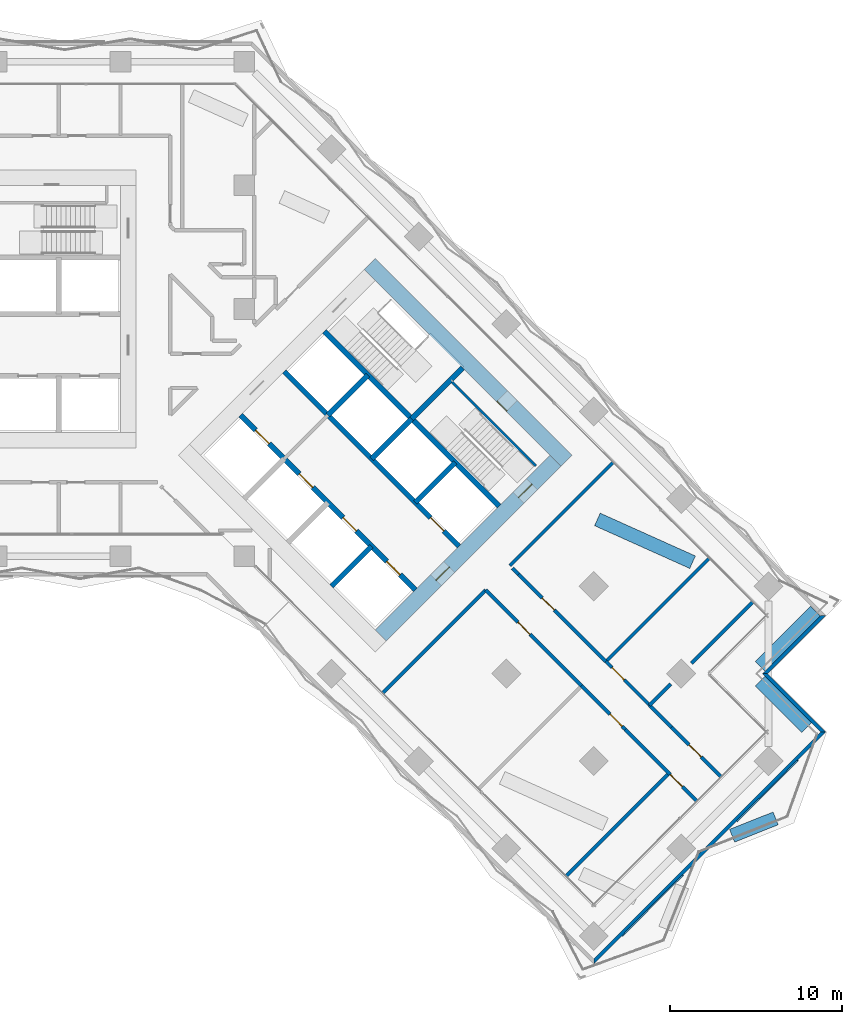
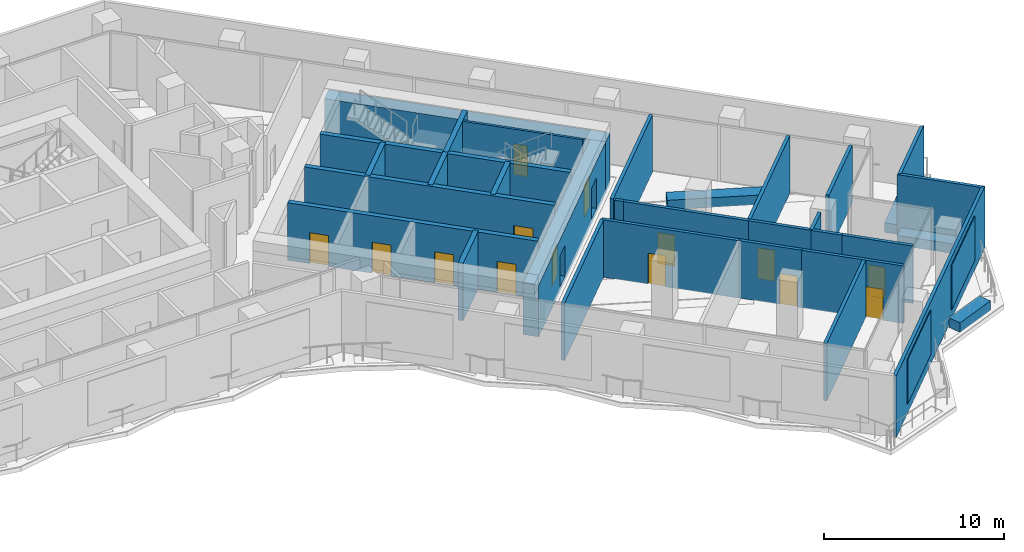
# One storey, part 16 of 24: 33 walls, 14 doors, 2 plates, 14 openings.
"""IFC4 building model written with IfcOpenShell, lengths in metres."""

from ifc_helpers import new_model, si_unit, direction, frame, frame_2d, origin, place, context, subcontext, project, spatial, polyline, rectangle, outline, extrude, material, layer, layer_set, type_object, element, fill, aggregate, save


model = new_model("IFC4")

# Units and contexts
model_context = context("Model", 3, precision=1e-05, world=origin(), true_north=direction((0.0, 1.0)))
body_context = subcontext(model_context, "Body", "Model", "MODEL_VIEW")
ifc_project = project(units=[si_unit("LENGTHUNIT", "METRE"), si_unit("AREAUNIT", "SQUARE_METRE"), si_unit("VOLUMEUNIT", "CUBIC_METRE"), si_unit("PLANEANGLEUNIT", "RADIAN"), si_unit("MASSUNIT", "GRAM", prefix="KILO")], contexts=[model_context])

# Plate
ifc_material_1 = material(Name="Aluminium louvre", Category="aluminium")
ifc_layer_1 = layer(ifc_material_1, 0.05)
ifc_layer_set_1 = layer_set([ifc_layer_1], Name="Belt louvre panel 5000x3000")
plate_type = type_object("IfcPlateType", Name="Belt louvre panel 5000x3000", PredefinedType="SHEET", material=ifc_layer_set_1)
site_placement = place(None, origin())
building_placement = place(site_placement, origin())
storey_placement = place(building_placement, frame((0.0, 0.0, 67.8)))
plate_1_placement = place(storey_placement, frame((101.2441, 21.0706, 0.75), z_axis=(0.7071167811, -0.7070967812, 0.0), x_axis=(0.7070967812, 0.7071167811, 0.0)))
plate_1 = element("IfcPlate", 1, at=plate_1_placement, type_object=plate_type, Name="Belt louvre panel L18 83.1", PredefinedType="SHEET", context=body_context, shape_type="SweptSolid", body=[
    extrude(outline(polyline([(0.0, 0.0), (5.0, 0.0), (5.0, 3.0), (0.0, 3.0), (0.0, 0.0)])), origin(), (0.0, 0.0, -1.0), 0.05),
])

plate_2_placement = place(storey_placement, frame((107.9262, 27.7528, 0.75), z_axis=(0.7071067812, -0.7071067812, 0.0), x_axis=(0.7071067812, 0.7071067812, 0.0)))
plate_2 = element("IfcPlate", 2, at=plate_2_placement, type_object=plate_type, Name="Belt louvre panel L18 84.2", PredefinedType="SHEET", context=body_context, shape_type="SweptSolid", body=[
    extrude(outline(polyline([(0.0, 0.0), (5.0, 0.0), (5.0, 3.0), (0.0, 3.0), (0.0, 0.0)])), origin(), (0.0, 0.0, -1.0), 0.05),
])

# Site, building, storey
site = spatial("IfcSite", under=ifc_project, at=site_placement, CompositionType="ELEMENT")
building = spatial("IfcBuilding", under=site, at=building_placement, Name="Windrow Commons", CompositionType="ELEMENT")
storey = spatial("IfcBuildingStorey", under=building, at=storey_placement, Name="L18", CompositionType="ELEMENT", Elevation=67.8)

# Walls
ifc_material_2 = material(Name="Concrete C40/50 precast screen panel", Category="concrete")
ifc_layer_2 = layer(ifc_material_2, 0.2)
ifc_layer_set_2 = layer_set([ifc_layer_2], Name="Belt screen wall 200")
wall_type_1 = type_object("IfcWallType", Name="Belt screen wall 200", PredefinedType="SOLIDWALL", material=ifc_layer_set_2)
wall_1_placement = place(storey_placement, frame((112.929, 32.9677, 0.0), z_axis=(0.0, 0.0, 1.0), x_axis=(-0.7071067812, 0.7071067812, 0.0)))
element("IfcWall", 3, at=wall_1_placement, inside=storey, type_object=wall_type_1, Name="Belt screen wall L18 1", PredefinedType="SOLIDWALL", context=body_context, shape_type="SweptSolid", body=[
    extrude(outline(polyline([(-0.1, -0.1), (4.7, -0.1), (4.9, 0.1), (0.1, 0.1), (-0.1, -0.1)])), origin(), (0.0, 0.0, 1.0), 4.2),
])
wall_2_placement = place(storey_placement, frame((109.5349, 36.3618, 0.0), z_axis=(0.0, 0.0, 1.0), x_axis=(0.7071067812, 0.7071067812, 0.0)))
element("IfcWall", 4, at=wall_2_placement, inside=storey, type_object=wall_type_1, Name="Belt screen wall L18 3", PredefinedType="SOLIDWALL", context=body_context, shape_type="SweptSolid", body=[
    extrude(outline(polyline([(0.1, -0.1), (4.9, -0.1), (4.7, 0.1), (-0.1, 0.1), (0.1, -0.1)])), origin(), (0.0, 0.0, 1.0), 4.2),
])

# Wall
wall_3_placement = place(storey_placement, frame((99.5647, 19.6034, 0.0), z_axis=(0.0, 0.0, 1.0), x_axis=(0.7071067812, 0.7071067812, 0.0)))
wall_3 = element("IfcWall", 5, at=wall_3_placement, inside=storey, type_object=wall_type_1, Name="Belt screen wall L18 83", PredefinedType="SOLIDWALL", context=body_context, shape_type="SweptSolid", body=[
    extrude(outline(polyline([(-0.1, -0.1), (19.0, -0.1), (18.8, 0.1), (0.1, 0.1), (-0.1, -0.1)])), origin(), (0.0, 0.0, 1.0), 4.2),
])

aggregate(wall_3, [plate_1, plate_2])

# Walls
ifc_material_3 = material(Name="Blockwork partition", Category="masonry")
ifc_layer_3 = layer(ifc_material_3, 0.2)
ifc_layer_set_3 = layer_set([ifc_layer_3], Name="IW-CORRIDOR-200")
wall_type_2 = type_object("IfcWallType", Name="IW-CORRIDOR-200", PredefinedType="PARTITIONING", material=ifc_layer_set_3)
wall_4_placement = place(storey_placement, frame((94.6828, 42.6592, 0.0), z_axis=(0.0, 0.0, 1.0), x_axis=(0.7072248389, 0.7069887037, 0.0)))
element("IfcWall", 6, at=wall_4_placement, inside=storey, type_object=wall_type_2, Name="W-L18-W011", PredefinedType="PARTITIONING", context=body_context, shape_type="SweptSolid", body=[
    extrude(rectangle(XDim=8.4697, YDim=0.2, at=frame_2d((4.2348, 0.0))), origin(), (0.0, 0.0, 1.0), 3.9),
])
wall_5_placement = place(storey_placement, frame((87.2815, 35.2525, 0.0), z_axis=(0.0, 0.0, 1.0), x_axis=(0.7071067812, 0.7071067812, 0.0)))
element("IfcWall", 7, at=wall_5_placement, inside=storey, type_object=wall_type_2, Name="W-L18-W012", PredefinedType="PARTITIONING", context=body_context, shape_type="SweptSolid", body=[
    extrude(rectangle(XDim=8.4683, YDim=0.2, at=frame_2d((4.2341, 0.0))), origin(), (0.0, 0.0, 1.0), 3.9),
])

# Wall, opening, door
wall_6_placement = place(storey_placement, frame((93.2689, 41.2369, 0.0), z_axis=(0.0, 0.0, 1.0), x_axis=(0.7071067812, -0.7071067812, 0.0)))
wall_6 = element("IfcWall", 8, at=wall_6_placement, inside=storey, type_object=wall_type_2, Name="W-L18-W013", PredefinedType="PARTITIONING", context=body_context, shape_type="SweptSolid", body=[
    extrude(rectangle(XDim=7.8998, YDim=0.2, at=frame_2d((3.9499, 0.0))), origin(), (0.0, 0.0, 1.0), 3.9),
])
opening_1_placement = place(wall_6_placement, frame((2.6561, 0.0, 0.0)))
opening_1 = element("IfcOpeningElement", 9, at=opening_1_placement, cuts=wall_6, Name="Opening D310F", PredefinedType="OPENING", context=body_context, shape_type="SweptSolid", body=[
    extrude(rectangle(XDim=1.0, YDim=2.1, at=frame_2d((0.5, 1.05))), frame((0.0, 0.11, 0.0), z_axis=(0.0, -1.0, 0.0), x_axis=(1.0, 0.0, 0.0)), (0.0, 0.0, 1.0), 0.22),
])
ifc_material_4 = material(Name="Timber door leaf", Category="wood")
door_type_1 = type_object("IfcDoorType", Name="DT-AMENITY-1000", OperationType="SINGLE_SWING_LEFT", PredefinedType="DOOR", material=ifc_material_4)
door_1_placement = place(opening_1_placement, origin())
door_1 = element("IfcDoor", 10, at=door_1_placement, inside=storey, type_object=door_type_1, Name="D-L18-D028", OperationType="SINGLE_SWING_LEFT", OverallHeight=2.1, OverallWidth=1.0, PredefinedType="DOOR", context=body_context, shape_type="SweptSolid", body=[
    extrude(rectangle(XDim=1.0, YDim=2.1, at=frame_2d((0.5, 1.05))), frame((0.0, 0.025, 0.0), z_axis=(0.0, -1.0, 0.0), x_axis=(1.0, 0.0, 0.0)), (0.0, 0.0, 1.0), 0.05),
])
fill(opening_1, door_1)

wall_7_placement = place(storey_placement, frame((95.1771, 42.1571, 0.0), z_axis=(0.0, 0.0, 1.0), x_axis=(0.7071067812, -0.7071067812, 0.0)))
wall_7 = element("IfcWall", 11, at=wall_7_placement, inside=storey, type_object=wall_type_2, Name="W-L18-W015", PredefinedType="PARTITIONING", context=body_context, shape_type="SweptSolid", body=[
    extrude(rectangle(XDim=7.2012, YDim=0.2, at=frame_2d((3.6006, 0.0))), origin(), (0.0, 0.0, 1.0), 3.9),
])
opening_2_placement = place(wall_7_placement, frame((1.9543, 0.0, 0.0)))
opening_2 = element("IfcOpeningElement", 12, at=opening_2_placement, cuts=wall_7, Name="Opening D310F", PredefinedType="OPENING", context=body_context, shape_type="SweptSolid", body=[
    extrude(rectangle(XDim=1.0, YDim=2.1, at=frame_2d((0.5, 1.05))), frame((0.0, 0.11, 0.0), z_axis=(0.0, -1.0, 0.0), x_axis=(1.0, 0.0, 0.0)), (0.0, 0.0, 1.0), 0.22),
])
door_2_placement = place(opening_2_placement, origin())
door_2 = element("IfcDoor", 13, at=door_2_placement, inside=storey, type_object=door_type_1, Name="D-L18-D025", OperationType="SINGLE_SWING_RIGHT", OverallHeight=2.1, OverallWidth=1.0, PredefinedType="DOOR", context=body_context, shape_type="SweptSolid", body=[
    extrude(rectangle(XDim=1.0, YDim=2.1, at=frame_2d((0.5, 1.05))), frame((0.0, 0.025, 0.0), z_axis=(0.0, -1.0, 0.0), x_axis=(1.0, 0.0, 0.0)), (0.0, 0.0, 1.0), 0.05),
])
fill(opening_2, door_2)

wall_8_placement = place(storey_placement, frame((105.5509, 28.9549, 0.0), z_axis=(0.0, 0.0, 1.0), x_axis=(-0.7068512158, 0.7073622542, 0.0)))
wall_8 = element("IfcWall", 14, at=wall_8_placement, inside=storey, type_object=wall_type_2, Name="W-L18-W016", PredefinedType="PARTITIONING", context=body_context, shape_type="SweptSolid", body=[
    extrude(rectangle(XDim=5.8704, YDim=0.2, at=frame_2d((2.9352, 0.0))), origin(), (0.0, 0.0, 1.0), 3.9),
])
opening_3_placement = place(wall_8_placement, frame((1.1679, 0.0, 0.0)))
opening_3 = element("IfcOpeningElement", 15, at=opening_3_placement, cuts=wall_8, Name="Opening D310F", PredefinedType="OPENING", context=body_context, shape_type="SweptSolid", body=[
    extrude(rectangle(XDim=1.0, YDim=2.1, at=frame_2d((0.5, 1.05))), frame((0.0, 0.11, 0.0), z_axis=(0.0, -1.0, 0.0), x_axis=(1.0, 0.0, 0.0)), (0.0, 0.0, 1.0), 0.22),
])
door_3_placement = place(opening_3_placement, origin())
door_3 = element("IfcDoor", 16, at=door_3_placement, inside=storey, type_object=door_type_1, Name="D-L18-D030", OperationType="SINGLE_SWING_LEFT", OverallHeight=2.1, OverallWidth=1.0, PredefinedType="DOOR", context=body_context, shape_type="SweptSolid", body=[
    extrude(rectangle(XDim=1.0, YDim=2.1, at=frame_2d((0.5, 1.05))), frame((0.0, 0.025, 0.0), z_axis=(0.0, -1.0, 0.0), x_axis=(1.0, 0.0, 0.0)), (0.0, 0.0, 1.0), 0.05),
])
fill(opening_3, door_3)

wall_9_placement = place(storey_placement, frame((104.0871, 33.2471, 0.0), z_axis=(0.0, 0.0, 1.0), x_axis=(0.7071067812, -0.7071067812, 0.0)))
wall_9 = element("IfcWall", 17, at=wall_9_placement, inside=storey, type_object=wall_type_2, Name="W-L18-W031", PredefinedType="PARTITIONING", context=body_context, shape_type="SweptSolid", body=[
    extrude(rectangle(XDim=4.0701, YDim=0.2, at=frame_2d((2.0351, 0.0))), origin(), (0.0, 0.0, 1.0), 3.9),
])
opening_4_placement = place(wall_9_placement, frame((1.456, 0.0, 0.0)))
opening_4 = element("IfcOpeningElement", 18, at=opening_4_placement, cuts=wall_9, Name="Opening D310F", PredefinedType="OPENING", context=body_context, shape_type="SweptSolid", body=[
    extrude(rectangle(XDim=1.0, YDim=2.1, at=frame_2d((0.5, 1.05))), frame((0.0, 0.11, 0.0), z_axis=(0.0, -1.0, 0.0), x_axis=(1.0, 0.0, 0.0)), (0.0, 0.0, 1.0), 0.22),
])
door_4_placement = place(opening_4_placement, origin())
door_4 = element("IfcDoor", 19, at=door_4_placement, inside=storey, type_object=door_type_1, Name="D-L18-D027", OperationType="SINGLE_SWING_LEFT", OverallHeight=2.1, OverallWidth=1.0, PredefinedType="DOOR", context=body_context, shape_type="SweptSolid", body=[
    extrude(rectangle(XDim=1.0, YDim=2.1, at=frame_2d((0.5, 1.05))), frame((0.0, 0.025, 0.0), z_axis=(0.0, -1.0, 0.0), x_axis=(1.0, 0.0, 0.0)), (0.0, 0.0, 1.0), 0.05),
])
fill(opening_4, door_4)

wall_10_placement = place(storey_placement, frame((98.8603, 35.6563, 0.0), z_axis=(0.0, 0.0, 1.0), x_axis=(0.7073845681, -0.7068288851, 0.0)))
wall_10 = element("IfcWall", 20, at=wall_10_placement, inside=storey, type_object=wall_type_2, Name="W-L18-W036", PredefinedType="PARTITIONING", context=body_context, shape_type="SweptSolid", body=[
    extrude(rectangle(XDim=3.5992, YDim=0.2, at=frame_2d((1.7996, 0.0))), origin(), (0.0, 0.0, 1.0), 3.9),
])
opening_5_placement = place(wall_10_placement, frame((2.3367, 0.0, 0.0)))
opening_5 = element("IfcOpeningElement", 21, at=opening_5_placement, cuts=wall_10, Name="Opening D310F", PredefinedType="OPENING", context=body_context, shape_type="SweptSolid", body=[
    extrude(rectangle(XDim=1.0, YDim=2.1, at=frame_2d((0.5, 1.05))), frame((0.0, 0.11, 0.0), z_axis=(0.0, -1.0, 0.0), x_axis=(1.0, 0.0, 0.0)), (0.0, 0.0, 1.0), 0.22),
])
door_5_placement = place(opening_5_placement, origin())
door_5 = element("IfcDoor", 22, at=door_5_placement, inside=storey, type_object=door_type_1, Name="D-L18-D029", OperationType="SINGLE_SWING_LEFT", OverallHeight=2.1, OverallWidth=1.0, PredefinedType="DOOR", context=body_context, shape_type="SweptSolid", body=[
    extrude(rectangle(XDim=1.0, YDim=2.1, at=frame_2d((0.5, 1.05))), frame((0.0, 0.025, 0.0), z_axis=(0.0, -1.0, 0.0), x_axis=(1.0, 0.0, 0.0)), (0.0, 0.0, 1.0), 0.05),
])
fill(opening_5, door_5)

wall_11_placement = place(storey_placement, frame((100.2745, 37.0705, 0.0), z_axis=(0.0, 0.0, 1.0), x_axis=(0.7073845681, -0.7068288851, 0.0)))
wall_11 = element("IfcWall", 23, at=wall_11_placement, inside=storey, type_object=wall_type_2, Name="W-L18-W037", PredefinedType="PARTITIONING", context=body_context, shape_type="SweptSolid", body=[
    extrude(rectangle(XDim=3.5992, YDim=0.2, at=frame_2d((1.7996, 0.0))), origin(), (0.0, 0.0, 1.0), 3.9),
])
opening_6_placement = place(wall_11_placement, frame((0.5067, 0.0, 0.0)))
opening_6 = element("IfcOpeningElement", 24, at=opening_6_placement, cuts=wall_11, Name="Opening D310F", PredefinedType="OPENING", context=body_context, shape_type="SweptSolid", body=[
    extrude(rectangle(XDim=1.0, YDim=2.1, at=frame_2d((0.5, 1.05))), frame((0.0, 0.11, 0.0), z_axis=(0.0, -1.0, 0.0), x_axis=(1.0, 0.0, 0.0)), (0.0, 0.0, 1.0), 0.22),
])
door_6_placement = place(opening_6_placement, origin())
door_6 = element("IfcDoor", 25, at=door_6_placement, inside=storey, type_object=door_type_1, Name="D-L18-D026", OperationType="SINGLE_SWING_RIGHT", OverallHeight=2.1, OverallWidth=1.0, PredefinedType="DOOR", context=body_context, shape_type="SweptSolid", body=[
    extrude(rectangle(XDim=1.0, YDim=2.1, at=frame_2d((0.5, 1.05))), frame((0.0, 0.025, 0.0), z_axis=(0.0, -1.0, 0.0), x_axis=(1.0, 0.0, 0.0)), (0.0, 0.0, 1.0), 0.05),
])
fill(opening_6, door_6)

# Walls
wall_12_placement = place(storey_placement, frame((102.8156, 34.5216, 0.0), z_axis=(0.0, 0.0, 1.0), x_axis=(0.7065510983, -0.7076620277, 0.0)))
element("IfcWall", 26, at=wall_12_placement, inside=storey, type_object=wall_type_2, Name="W-L18-W067", PredefinedType="PARTITIONING", context=body_context, shape_type="SweptSolid", body=[
    extrude(rectangle(XDim=1.8003, YDim=0.2, at=frame_2d((0.9002, 0.0))), origin(), (0.0, 0.0, 1.0), 3.9),
])
wall_13_placement = place(storey_placement, frame((94.8281, 42.5141, 0.0), z_axis=(0.0, 0.0, 1.0), x_axis=(0.7051008166, -0.7091070712, 0.0)))
element("IfcWall", 27, at=wall_13_placement, inside=storey, type_object=wall_type_2, Name="W-L18-W096", PredefinedType="PARTITIONING", context=body_context, shape_type="SweptSolid", body=[
    extrude(rectangle(XDim=0.4992, YDim=0.2, at=frame_2d((0.2496, 0.0))), origin(), (0.0, 0.0, 1.0), 3.9),
])
ifc_material_5 = material(Name="Blockwork partition", Category="masonry")
ifc_layer_4 = layer(ifc_material_5, 0.2)
ifc_layer_set_4 = layer_set([ifc_layer_4], Name="IW-PARTY-200")
wall_type_3 = type_object("IfcWallType", Name="IW-PARTY-200", PredefinedType="PARTITIONING", material=ifc_layer_set_4)
for number, where, z_axis, x_axis, name in (
    (28, (100.2706, 37.0694, 0.0), (0.0, 0.0, 1.0), (0.7071067812, 0.7071067812, 0.0), "W-L18-W004"),
    (29, (97.9578, 24.5742, 0.0), (0.0, 0.0, 1.0), (0.7071067812, 0.7071067812, 0.0), "W-L18-W006"),
):
    element("IfcWall", number, at=place(storey_placement, frame(where, z_axis=z_axis, x_axis=x_axis)), inside=storey, type_object=wall_type_3, Name=name, PredefinedType="PARTITIONING", context=body_context, shape_type="SweptSolid", body=[
        extrude(rectangle(XDim=8.4711, YDim=0.2, at=frame_2d((4.2355, 0.0))), origin(), (0.0, 0.0, 1.0), 3.9),
    ])
wall_14_placement = place(storey_placement, frame((105.2552, 36.9628, 0.0), z_axis=(0.0, 0.0, 1.0), x_axis=(0.7071067812, 0.7071067812, 0.0)))
element("IfcWall", 30, at=wall_14_placement, inside=storey, type_object=wall_type_3, Name="W-L18-W025", PredefinedType="PARTITIONING", context=body_context, shape_type="SweptSolid", body=[
    extrude(rectangle(XDim=5.0205, YDim=0.2, at=frame_2d((2.5103, 0.0))), origin(), (0.0, 0.0, 1.0), 3.9),
])
wall_15_placement = place(storey_placement, frame((102.8172, 34.5248, 0.0), z_axis=(0.0, 0.0, 1.0), x_axis=(0.7071067812, 0.7071067812, 0.0)))
element("IfcWall", 31, at=wall_15_placement, inside=storey, type_object=wall_type_3, Name="W-L18-W069", PredefinedType="PARTITIONING", context=body_context, shape_type="SweptSolid", body=[
    extrude(rectangle(XDim=1.7508, YDim=0.2, at=frame_2d((0.8754, 0.0))), origin(), (0.0, 0.0, 1.0), 3.9),
])
ifc_material_6 = material(Name="Concrete C30/37 planter wall", Category="concrete")
ifc_layer_5 = layer(ifc_material_6, 0.8)
ifc_layer_set_5 = layer_set([ifc_layer_5], Name="Planter 800x600")
wall_type_4 = type_object("IfcWallType", Name="Planter 800x600", PredefinedType="SOLIDWALL", material=ifc_layer_set_5)
wall_16_placement = place(storey_placement, frame((107.6205, 26.9238, 0.0), z_axis=(0.0, 0.0, 1.0), x_axis=(0.9291396377, 0.3697290003, 0.0)))
element("IfcWall", 32, at=wall_16_placement, inside=storey, type_object=wall_type_4, Name="PLANTER TR-L18-1.4", PredefinedType="SOLIDWALL", context=body_context, shape_type="SweptSolid", body=[
    extrude(rectangle(XDim=2.7298, YDim=0.8, at=frame_2d((1.3649, 0.0))), origin(), (0.0, 0.0, 1.0), 0.65),
])
wall_17_placement = place(storey_placement, frame((111.9653, 33.2242, 0.0), z_axis=(0.0, 0.0, 1.0), x_axis=(-0.7070937504, 0.7071198117, 0.0)))
element("IfcWall", 33, at=wall_17_placement, inside=storey, type_object=wall_type_4, Name="PLANTER TR-L18-1.6", PredefinedType="SOLIDWALL", context=body_context, shape_type="SweptSolid", body=[
    extrude(rectangle(XDim=3.8371, YDim=0.8, at=frame_2d((1.9185, 0.0))), origin(), (0.0, 0.0, 1.0), 0.65),
])
wall_18_placement = place(storey_placement, frame((109.2521, 36.7861, 0.0), z_axis=(0.0, 0.0, 1.0), x_axis=(0.7070958037, 0.7071177585, 0.0)))
element("IfcWall", 34, at=wall_18_placement, inside=storey, type_object=wall_type_4, Name="PLANTER TR-L18-1.7", PredefinedType="SOLIDWALL", context=body_context, shape_type="SweptSolid", body=[
    extrude(rectangle(XDim=4.5548, YDim=0.8, at=frame_2d((2.2774, 0.0))), origin(), (0.0, 0.0, 1.0), 0.65),
])
wall_19_placement = place(storey_placement, frame((105.3189, 42.8531, 0.0), z_axis=(0.0, 0.0, 1.0), x_axis=(-0.9121070138, 0.4099521866, 0.0)))
element("IfcWall", 35, at=wall_19_placement, inside=storey, type_object=wall_type_4, Name="PLANTER TR-L18-1 bed 6", PredefinedType="SOLIDWALL", context=body_context, shape_type="SweptSolid", body=[
    extrude(rectangle(XDim=6.079, YDim=0.8, at=frame_2d((3.0395, 0.0))), origin(), (0.0, 0.0, 1.0), 0.65),
])

# Wall, opening, door
ifc_material_7 = material(Name="Concrete C60/75", Category="concrete")
ifc_layer_6 = layer(ifc_material_7, 0.9)
ifc_layer_set_6 = layer_set([ifc_layer_6], Name="RC CORE WALL 900 C60/75")
wall_type_5 = type_object("IfcWallType", Name="RC CORE WALL 900 C60/75", PredefinedType="SHEAR", material=ifc_layer_set_6)
wall_20_placement = place(storey_placement, frame((86.5186, 60.2267, -0.3), z_axis=(0.0, 0.0, 1.0), x_axis=(0.7071036948, -0.7071098676, 0.0)))
wall_20 = element("IfcWall", 36, at=wall_20_placement, inside=storey, type_object=wall_type_5, Name="Core B wall outer-N", PredefinedType="SHEAR", context=body_context, shape_type="SweptSolid", body=[
    extrude(rectangle(XDim=16.2, YDim=0.9, at=frame_2d((8.1, 0.0))), origin(), (0.0, 0.0, 1.0), 3.5),
])
opening_7_placement = place(wall_20_placement, frame((10.9, 0.0, 0.3)))
opening_7 = element("IfcOpeningElement", 37, at=opening_7_placement, cuts=wall_20, Name="Opening D9", PredefinedType="OPENING", context=body_context, shape_type="SweptSolid", body=[
    extrude(rectangle(XDim=0.8, YDim=2.1, at=frame_2d((0.4, 1.05))), frame((0.0, 0.46, 0.0), z_axis=(0.0, -1.0, 0.0), x_axis=(1.0, 0.0, 0.0)), (0.0, 0.0, 1.0), 0.92),
])
ifc_material_8 = material(Name="Steel fire door leaf", Category="steel")
door_type_2 = type_object("IfcDoorType", Name="Riser access door 800", OperationType="SINGLE_SWING_LEFT", PredefinedType="DOOR", material=ifc_material_8)
door_7_placement = place(opening_7_placement, origin())
door_7 = element("IfcDoor", 38, at=door_7_placement, inside=storey, type_object=door_type_2, Name="Riser access door", OperationType="SINGLE_SWING_RIGHT", OverallHeight=2.1, OverallWidth=0.8, PredefinedType="DOOR", context=body_context, shape_type="SweptSolid", body=[
    extrude(rectangle(XDim=0.8, YDim=2.1, at=frame_2d((0.4, 1.05))), frame((0.0, -0.39, 0.0), z_axis=(0.0, -1.0, 0.0), x_axis=(1.0, 0.0, 0.0)), (0.0, 0.0, 1.0), 0.05),
])
fill(opening_7, door_7)

# Wall, openings, doors
wall_21_placement = place(storey_placement, frame((87.155, 38.5892, -0.3), z_axis=(0.0, 0.0, 1.0), x_axis=(0.7071067812, 0.7071067812, 0.0)))
wall_21 = element("IfcWall", 39, at=wall_21_placement, inside=storey, type_object=wall_type_5, Name="Core B wall outer-E", PredefinedType="SHEAR", context=body_context, shape_type="SweptSolid", body=[
    extrude(rectangle(XDim=14.3999, YDim=0.9, at=frame_2d((7.2, 0.0))), origin(), (0.0, 0.0, 1.0), 3.5),
])
opening_8_placement = place(wall_21_placement, frame((4.55, 0.0, 0.3)))
opening_8 = element("IfcOpeningElement", 40, at=opening_8_placement, cuts=wall_21, Name="Opening D6", PredefinedType="OPENING", context=body_context, shape_type="SweptSolid", body=[
    extrude(rectangle(XDim=1.1, YDim=2.1, at=frame_2d((0.55, 1.05))), frame((0.0, 0.46, 0.0), z_axis=(0.0, -1.0, 0.0), x_axis=(1.0, 0.0, 0.0)), (0.0, 0.0, 1.0), 0.92),
])
opening_9_placement = place(wall_21_placement, frame((11.35, 0.0, 0.3)))
opening_9 = element("IfcOpeningElement", 41, at=opening_9_placement, cuts=wall_21, Name="Opening D7", PredefinedType="OPENING", context=body_context, shape_type="SweptSolid", body=[
    extrude(rectangle(XDim=1.1, YDim=2.1, at=frame_2d((0.55, 1.05))), frame((0.0, 0.46, 0.0), z_axis=(0.0, -1.0, 0.0), x_axis=(1.0, 0.0, 0.0)), (0.0, 0.0, 1.0), 0.92),
])
ifc_material_9 = material(Name="Steel fire door leaf", Category="steel")
door_type_3 = type_object("IfcDoorType", Name="Core lobby door 1100", OperationType="SINGLE_SWING_LEFT", PredefinedType="DOOR", material=ifc_material_9)
door_8_placement = place(opening_8_placement, origin())
door_8 = element("IfcDoor", 42, at=door_8_placement, inside=storey, type_object=door_type_3, Name="Lift lobby door", OperationType="DOUBLE_DOOR_SINGLE_SWING", OverallHeight=2.1, OverallWidth=1.1, PredefinedType="DOOR", context=body_context, shape_type="SweptSolid", body=[
    extrude(rectangle(XDim=1.1, YDim=2.1, at=frame_2d((0.55, 1.05))), frame((0.0, 0.025, 0.0), z_axis=(0.0, -1.0, 0.0), x_axis=(1.0, 0.0, 0.0)), (0.0, 0.0, 1.0), 0.05),
])
fill(opening_8, door_8)
ifc_material_10 = material(Name="Steel fire door leaf", Category="steel")
door_type_4 = type_object("IfcDoorType", Name="Stair door 1100", OperationType="SINGLE_SWING_LEFT", PredefinedType="DOOR", material=ifc_material_10)
door_9_placement = place(opening_9_placement, origin())
door_9 = element("IfcDoor", 43, at=door_9_placement, inside=storey, type_object=door_type_4, Name="Stair door", OperationType="SINGLE_SWING_RIGHT", OverallHeight=2.1, OverallWidth=1.1, PredefinedType="DOOR", context=body_context, shape_type="SweptSolid", body=[
    extrude(rectangle(XDim=1.1, YDim=2.1, at=frame_2d((0.55, 1.05))), frame((0.0, 0.025, 0.0), z_axis=(0.0, -1.0, 0.0), x_axis=(1.0, 0.0, 0.0)), (0.0, 0.0, 1.0), 0.05),
])
fill(opening_9, door_9)

# Walls
ifc_material_11 = material(Name="Concrete C60/75", Category="concrete")
ifc_layer_7 = layer(ifc_material_11, 0.3)
ifc_layer_set_7 = layer_set([ifc_layer_7], Name="RC SHAFT WALL 300 C60/75")
wall_type_6 = type_object("IfcWallType", Name="RC SHAFT WALL 300 C60/75", PredefinedType="SOLIDWALL", material=ifc_layer_set_7)
wall_22_placement = place(storey_placement, frame((84.079, 51.4232, 0.0), z_axis=(0.0, 0.0, 1.0), x_axis=(0.7071219326, 0.7070916295, 0.0)))
element("IfcWall", 44, at=wall_22_placement, inside=storey, type_object=wall_type_6, Name="Core B wall shaft-N1", PredefinedType="SOLIDWALL", context=body_context, shape_type="SweptSolid", body=[
    extrude(rectangle(XDim=3.3, YDim=0.3, at=frame_2d((1.65, 0.0))), origin(), (0.0, 0.0, 1.0), 3.9),
])
wall_23_placement = place(storey_placement, frame((86.6246, 48.8776, 0.0), z_axis=(0.0, 0.0, 1.0), x_axis=(0.7071067812, 0.7071067812, 0.0)))
element("IfcWall", 45, at=wall_23_placement, inside=storey, type_object=wall_type_6, Name="Core B wall shaft-N2", PredefinedType="SOLIDWALL", context=body_context, shape_type="SweptSolid", body=[
    extrude(rectangle(XDim=3.3001, YDim=0.3, at=frame_2d((1.6501, 0.0))), origin(), (0.0, 0.0, 1.0), 3.9),
])
wall_24_placement = place(storey_placement, frame((84.2912, 41.453, 0.0), z_axis=(0.0, 0.0, 1.0), x_axis=(0.7071067812, 0.7071067812, 0.0)))
element("IfcWall", 46, at=wall_24_placement, inside=storey, type_object=wall_type_6, Name="Core B wall shaft-S3", PredefinedType="SOLIDWALL", context=body_context, shape_type="SweptSolid", body=[
    extrude(rectangle(XDim=3.2999, YDim=0.3, at=frame_2d((1.65, 0.0))), origin(), (0.0, 0.0, 1.0), 3.9),
])
wall_25_placement = place(storey_placement, frame((89.1702, 46.332, 0.0), z_axis=(0.0, 0.0, 1.0), x_axis=(0.7071067812, 0.7071067812, 0.0)))
element("IfcWall", 47, at=wall_25_placement, inside=storey, type_object=wall_type_6, Name="Core B wall shaft-N3", PredefinedType="SOLIDWALL", context=body_context, shape_type="SweptSolid", body=[
    extrude(rectangle(XDim=3.3001, YDim=0.3, at=frame_2d((1.6501, 0.0))), origin(), (0.0, 0.0, 1.0), 3.9),
])

# Wall, openings, doors
wall_26_placement = place(storey_placement, frame((78.9879, 51.4232, 0.0), z_axis=(0.0, 0.0, 1.0), x_axis=(0.7071067812, -0.7071067812, 0.0)))
wall_26 = element("IfcWall", 48, at=wall_26_placement, inside=storey, type_object=wall_type_6, Name="Core B wall lobby-S", PredefinedType="SOLIDWALL", context=body_context, shape_type="SweptSolid", body=[
    extrude(rectangle(XDim=14.3999, YDim=0.3, at=frame_2d((7.2, 0.0))), origin(), (0.0, 0.0, 1.0), 3.9),
])
opening_10_placement = place(wall_26_placement, frame((1.25, 0.0, 0.0)))
opening_10 = element("IfcOpeningElement", 49, at=opening_10_placement, cuts=wall_26, Name="Opening LD", PredefinedType="OPENING", context=body_context, shape_type="SweptSolid", body=[
    extrude(rectangle(XDim=1.1, YDim=2.1, at=frame_2d((0.55, 1.05))), frame((0.0, 0.16, 0.0), z_axis=(0.0, -1.0, 0.0), x_axis=(1.0, 0.0, 0.0)), (0.0, 0.0, 1.0), 0.32),
])
opening_11_placement = place(wall_26_placement, frame((4.85, 0.0, 0.0)))
opening_11 = element("IfcOpeningElement", 50, at=opening_11_placement, cuts=wall_26, Name="Opening LD", PredefinedType="OPENING", context=body_context, shape_type="SweptSolid", body=[
    extrude(rectangle(XDim=1.1, YDim=2.1, at=frame_2d((0.55, 1.05))), frame((0.0, 0.16, 0.0), z_axis=(0.0, -1.0, 0.0), x_axis=(1.0, 0.0, 0.0)), (0.0, 0.0, 1.0), 0.32),
])
opening_12_placement = place(wall_26_placement, frame((8.45, 0.0, 0.0)))
opening_12 = element("IfcOpeningElement", 51, at=opening_12_placement, cuts=wall_26, Name="Opening LD", PredefinedType="OPENING", context=body_context, shape_type="SweptSolid", body=[
    extrude(rectangle(XDim=1.1, YDim=2.1, at=frame_2d((0.55, 1.05))), frame((0.0, 0.16, 0.0), z_axis=(0.0, -1.0, 0.0), x_axis=(1.0, 0.0, 0.0)), (0.0, 0.0, 1.0), 0.32),
])
opening_13_placement = place(wall_26_placement, frame((12.05, 0.0, 0.0)))
opening_13 = element("IfcOpeningElement", 52, at=opening_13_placement, cuts=wall_26, Name="Opening LD", PredefinedType="OPENING", context=body_context, shape_type="SweptSolid", body=[
    extrude(rectangle(XDim=1.1, YDim=2.1, at=frame_2d((0.55, 1.05))), frame((0.0, 0.16, 0.0), z_axis=(0.0, -1.0, 0.0), x_axis=(1.0, 0.0, 0.0)), (0.0, 0.0, 1.0), 0.32),
])
ifc_material_12 = material(Name="Stainless steel door leaf", Category="steel")
door_type_5 = type_object("IfcDoorType", Name="Lift landing door 1100", OperationType="SLIDING_TO_LEFT", PredefinedType="DOOR", material=ifc_material_12)
door_10_placement = place(opening_10_placement, origin())
door_10 = element("IfcDoor", 53, at=door_10_placement, inside=storey, type_object=door_type_5, Name="Lift landing door", OperationType="SLIDING_TO_LEFT", OverallHeight=2.1, OverallWidth=1.1, PredefinedType="DOOR", context=body_context, shape_type="SweptSolid", body=[
    extrude(rectangle(XDim=1.1, YDim=2.1, at=frame_2d((0.55, 1.05))), frame((0.0, 0.025, 0.0), z_axis=(0.0, -1.0, 0.0), x_axis=(1.0, 0.0, 0.0)), (0.0, 0.0, 1.0), 0.05),
])
fill(opening_10, door_10)
door_11_placement = place(opening_11_placement, origin())
door_11 = element("IfcDoor", 54, at=door_11_placement, inside=storey, type_object=door_type_5, Name="Lift landing door", OperationType="SLIDING_TO_RIGHT", OverallHeight=2.1, OverallWidth=1.1, PredefinedType="DOOR", context=body_context, shape_type="SweptSolid", body=[
    extrude(rectangle(XDim=1.1, YDim=2.1, at=frame_2d((0.55, 1.05))), frame((0.0, 0.025, 0.0), z_axis=(0.0, -1.0, 0.0), x_axis=(1.0, 0.0, 0.0)), (0.0, 0.0, 1.0), 0.05),
])
fill(opening_11, door_11)
door_12_placement = place(opening_12_placement, origin())
door_12 = element("IfcDoor", 55, at=door_12_placement, inside=storey, type_object=door_type_5, Name="Lift landing door", OperationType="SLIDING_TO_LEFT", OverallHeight=2.1, OverallWidth=1.1, PredefinedType="DOOR", context=body_context, shape_type="SweptSolid", body=[
    extrude(rectangle(XDim=1.1, YDim=2.1, at=frame_2d((0.55, 1.05))), frame((0.0, 0.025, 0.0), z_axis=(0.0, -1.0, 0.0), x_axis=(1.0, 0.0, 0.0)), (0.0, 0.0, 1.0), 0.05),
])
fill(opening_12, door_12)
door_13_placement = place(opening_13_placement, origin())
door_13 = element("IfcDoor", 56, at=door_13_placement, inside=storey, type_object=door_type_5, Name="Lift landing door", OperationType="SLIDING_TO_RIGHT", OverallHeight=2.1, OverallWidth=1.1, PredefinedType="DOOR", context=body_context, shape_type="SweptSolid", body=[
    extrude(rectangle(XDim=1.1, YDim=2.1, at=frame_2d((0.55, 1.05))), frame((0.0, 0.025, 0.0), z_axis=(0.0, -1.0, 0.0), x_axis=(1.0, 0.0, 0.0)), (0.0, 0.0, 1.0), 0.05),
])
fill(opening_13, door_13)

# Wall, opening, door
wall_27_placement = place(storey_placement, frame((81.5335, 53.9688, 0.0), z_axis=(0.0, 0.0, 1.0), x_axis=(0.707103309, -0.7071102534, 0.0)))
wall_27 = element("IfcWall", 57, at=wall_27_placement, inside=storey, type_object=wall_type_6, Name="Core B wall lobby-N", PredefinedType="SOLIDWALL", context=body_context, shape_type="SweptSolid", body=[
    extrude(rectangle(XDim=14.4, YDim=0.3, at=frame_2d((7.2, 0.0))), origin(), (0.0, 0.0, 1.0), 3.9),
])
opening_14_placement = place(wall_27_placement, frame((12.05, 0.0, 0.0)))
opening_14 = element("IfcOpeningElement", 58, at=opening_14_placement, cuts=wall_27, Name="Opening LD", PredefinedType="OPENING", context=body_context, shape_type="SweptSolid", body=[
    extrude(rectangle(XDim=1.1, YDim=2.1, at=frame_2d((0.55, 1.05))), frame((0.0, 0.16, 0.0), z_axis=(0.0, -1.0, 0.0), x_axis=(1.0, 0.0, 0.0)), (0.0, 0.0, 1.0), 0.32),
])
door_14_placement = place(opening_14_placement, origin())
door_14 = element("IfcDoor", 59, at=door_14_placement, inside=storey, type_object=door_type_5, Name="Lift landing door", OperationType="SLIDING_TO_RIGHT", OverallHeight=2.1, OverallWidth=1.1, PredefinedType="DOOR", context=body_context, shape_type="SweptSolid", body=[
    extrude(rectangle(XDim=1.1, YDim=2.1, at=frame_2d((0.55, 1.05))), frame((0.0, 0.025, 0.0), z_axis=(0.0, -1.0, 0.0), x_axis=(1.0, 0.0, 0.0)), (0.0, 0.0, 1.0), 0.05),
])
fill(opening_14, door_14)

# Walls
for number, where, z_axis, x_axis, name in (
    (60, (83.8669, 56.3022, 0.0), (0.0, 0.0, 1.0), (0.7071137256, -0.7070998367, 0.0), "Core B wall stair-S"),
    (61, (88.9581, 51.2111, 0.0), (0.0, 0.0, 1.0), (0.7070998367, -0.7071137256, 0.0), "Core B wall stair-S2"),
):
    element("IfcWall", number, at=place(storey_placement, frame(where, z_axis=z_axis, x_axis=x_axis)), inside=storey, type_object=wall_type_6, Name=name, PredefinedType="SOLIDWALL", context=body_context, shape_type="SweptSolid", body=[
        extrude(rectangle(XDim=7.2, YDim=0.3, at=frame_2d((3.6, 0.0))), origin(), (0.0, 0.0, 1.0), 3.9),
    ])
wall_28_placement = place(storey_placement, frame((88.9581, 51.2111, 0.0), z_axis=(0.0, 0.0, 1.0), x_axis=(0.7071067812, 0.7071067812, 0.0)))
element("IfcWall", 62, at=wall_28_placement, inside=storey, type_object=wall_type_6, Name="Core B wall stair-mid", PredefinedType="SOLIDWALL", context=body_context, shape_type="SweptSolid", body=[
    extrude(rectangle(XDim=4.1999, YDim=0.3, at=frame_2d((2.1, 0.0))), origin(), (0.0, 0.0, 1.0), 3.9),
])
ifc_material_13 = material(Name="Blockwork partition", Category="masonry")
ifc_layer_8 = layer(ifc_material_13, 0.15)
ifc_layer_set_8 = layer_set([ifc_layer_8], Name="Riser partition 150")
wall_type_7 = type_object("IfcWallType", Name="Riser partition 150", PredefinedType="PARTITIONING", material=ifc_layer_set_8)
wall_29_placement = place(storey_placement, frame((91.3127, 53.3536, 0.0), z_axis=(0.0, 0.0, 1.0), x_axis=(0.7071140275, -0.7070995348, 0.0)))
element("IfcWall", 63, at=wall_29_placement, inside=storey, type_object=wall_type_7, Name="W-core-strip-B-L18", PredefinedType="PARTITIONING", context=body_context, shape_type="SweptSolid", body=[
    extrude(rectangle(XDim=6.9, YDim=0.15, at=frame_2d((3.45, 0.0))), origin(), (0.0, 0.0, 1.0), 3.9),
])

save(model, "model.ifc")
